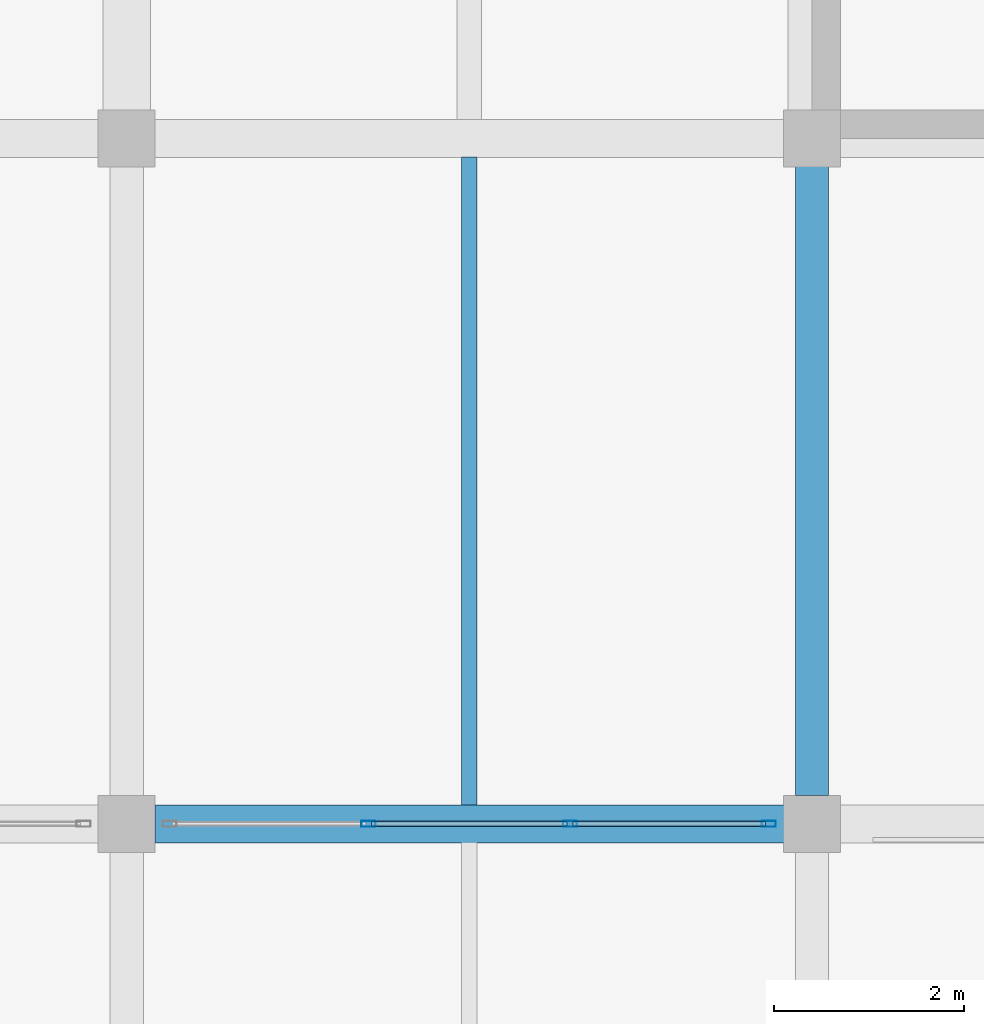
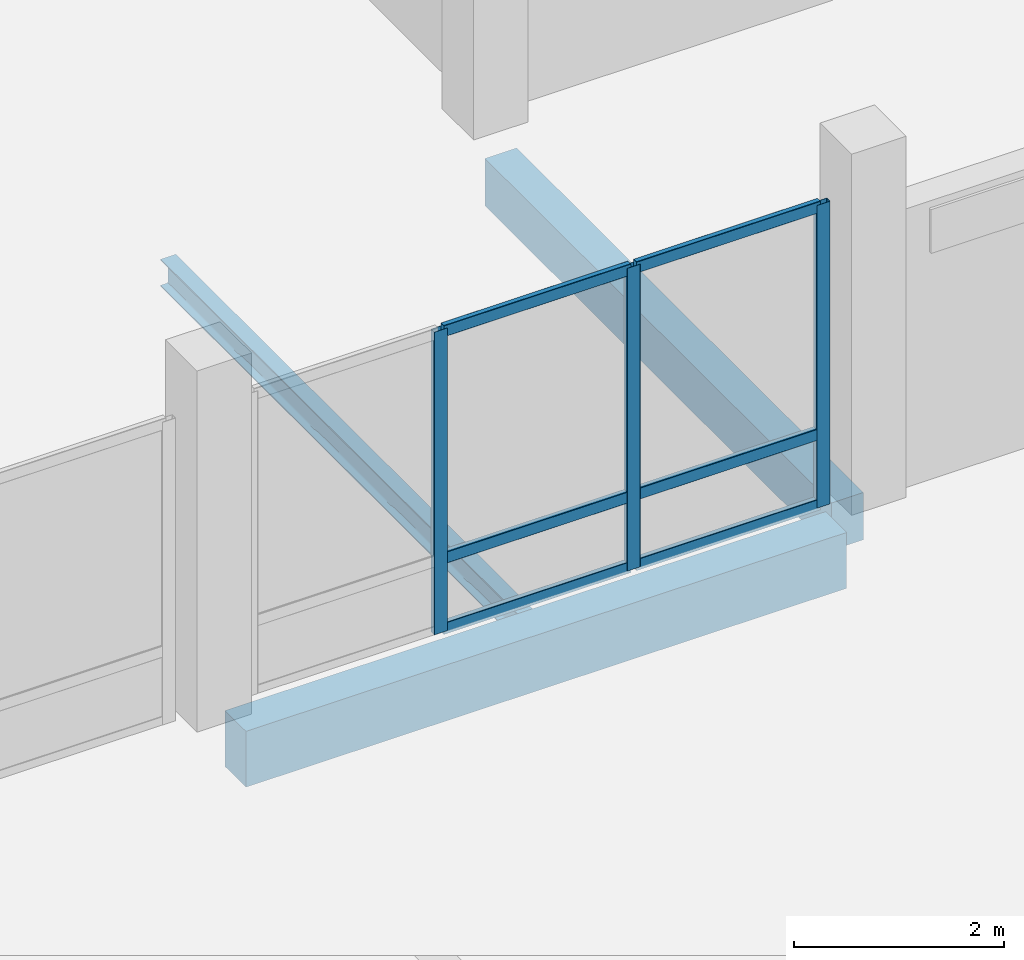
# One storey, part 116 of 158: 9 members, 3 beams, 1 element without a shape of its own.
"""IFC4 building model written with IfcOpenShell, lengths in metres."""

from ifc_helpers import new_model, si_unit, direction, frame, origin, origin_2d, place, context, subcontext, project, spatial, rectangle, hollow_rectangle, i_section, extrude, material, material_profile, profile_set, type_object, element, aggregate, save


model = new_model("IFC4")

# Units and contexts
model_context = context("Model", 3, precision=1e-05, world=origin(), true_north=direction((0.0, 1.0)))
body_context = subcontext(model_context, "Body", "Model", "MODEL_VIEW")
ifc_project = project(units=[si_unit("LENGTHUNIT", "METRE"), si_unit("AREAUNIT", "SQUARE_METRE"), si_unit("VOLUMEUNIT", "CUBIC_METRE"), si_unit("PLANEANGLEUNIT", "RADIAN"), si_unit("MASSUNIT", "GRAM", prefix="KILO")], contexts=[model_context])

# Site, building, storey
site_placement = place(None, origin())
site = spatial("IfcSite", under=ifc_project, at=site_placement, CompositionType="ELEMENT")
building_placement = place(site_placement, origin())
building = spatial("IfcBuilding", under=site, at=building_placement, Name="Lusvemor Sports Hall", CompositionType="ELEMENT")
storey_placement = place(building_placement, frame((0.0, 0.0, 10.800048828125)))
storey = spatial("IfcBuildingStorey", under=building, at=storey_placement, Name="L02", CompositionType="ELEMENT", Elevation=10.800048828125)

# Beams
ifc_material_1 = material(Name="Concrete C40/50", Category="concrete")
ifc_material_profile_1 = material_profile(ifc_material_1, rectangle(XDim=0.35009765625, YDim=0.550048828125, at=origin_2d()), Name="RC350x550")
ifc_profile_set_1 = profile_set([ifc_material_profile_1], Name="Concrete C40/50")
beam_type_1 = type_object("IfcBeamType", Name="BEAM_RC_550", PredefinedType="BEAM", material=ifc_profile_set_1)
beam_1_placement = place(storey_placement, frame((162.0, 97.49609375, -0.53515625), z_axis=(0.0, 1.0, 0.0), x_axis=(-1.0, 0.0, 0.0)))
element("IfcBeam", 1, at=beam_1_placement, inside=storey, type_object=beam_type_1, Name="Beam L02 19:N-P", PredefinedType="BEAM", context=body_context, shape_type="SweptSolid", body=[
    extrude(rectangle(XDim=0.35009765625, YDim=0.550048828125, at=origin_2d()), origin(), (0.0, 0.0, 1.0), 6.60791015625),
])
ifc_material_2 = material(Name="Concrete C40/50", Category="concrete")
ifc_material_profile_2 = material_profile(ifc_material_2, rectangle(XDim=0.39990234375, YDim=0.64990234375, at=origin_2d()), Name="RC400x650")
ifc_profile_set_2 = profile_set([ifc_material_profile_2], Name="Concrete C40/50")
beam_type_2 = type_object("IfcBeamType", Name="BEAM_RC_650", PredefinedType="BEAM", material=ifc_profile_set_2)
beam_2_placement = place(storey_placement, frame((155.095947265625, 97.199951171875, -0.5849609375), z_axis=(1.0, 0.0, 0.0), x_axis=(0.0, 1.0, 0.0)))
element("IfcBeam", 2, at=beam_2_placement, inside=storey, type_object=beam_type_2, Name="Beam L02 N:18-19", PredefinedType="BEAM", context=body_context, shape_type="SweptSolid", body=[
    extrude(rectangle(XDim=0.39990234375, YDim=0.64990234375, at=origin_2d()), origin(), (0.0, 0.0, 1.0), 6.608154296875),
])

# Curtain wall, members
ifc_material_3 = material(Name="Thermally broken bronze-anodized aluminium", Category="aluminium")
curtain_wall_type = type_object("IfcCurtainWallType", Name="CW_WING_B", PredefinedType="NOTDEFINED", material=ifc_material_3)
curtain_wall_placement = place(storey_placement, origin())
curtain_wall = element("IfcCurtainWall", 3, at=curtain_wall_placement, inside=storey, type_object=curtain_wall_type, Name="Curtain Wall CW-L02-S-3-15", PredefinedType="NOTDEFINED")
ifc_material_4 = material(Name="Thermally broken bronze-anodized aluminium", Category="aluminium")
ifc_material_profile_3 = material_profile(ifc_material_4, hollow_rectangle(XDim=0.06494140625, YDim=0.14990234375, WallThickness=0.00390625, InnerFilletRadius=0.00390625, OuterFilletRadius=0.008056640625, at=origin_2d()), Name="CWMUL150x65x4")
ifc_profile_set_3 = profile_set([ifc_material_profile_3], Name="Thermally broken bronze-anodized aluminium")
member_type_1 = type_object("IfcMemberType", Name="CW_MUL_B", PredefinedType="MULLION", material=ifc_profile_set_3)
member_1_placement = place(storey_placement, frame((161.547607421875, 97.199951171875, 0.0), z_axis=(0.0, 0.0, 1.0), x_axis=(0.0, -1.0, 0.0)))
member_1 = element("IfcMember", 4, at=member_1_placement, type_object=member_type_1, Name="CW02 mullion 1", PredefinedType="MULLION", context=body_context, shape_type="SweptSolid", body=[
    extrude(hollow_rectangle(XDim=0.06494140625, YDim=0.14990234375, WallThickness=0.00390625, InnerFilletRadius=0.00390625, OuterFilletRadius=0.008056640625, at=origin_2d()), origin(), (0.0, 0.0, 1.0), 3.52001953125),
])
member_2_placement = place(storey_placement, frame((159.4599609375, 97.199951171875, 0.0), z_axis=(0.0, 0.0, 1.0), x_axis=(0.0, -1.0, 0.0)))
member_2 = element("IfcMember", 5, at=member_2_placement, type_object=member_type_1, Name="CW02 mullion 2", PredefinedType="MULLION", context=body_context, shape_type="SweptSolid", body=[
    extrude(hollow_rectangle(XDim=0.06494140625, YDim=0.14990234375, WallThickness=0.00390625, InnerFilletRadius=0.00390625, OuterFilletRadius=0.008056640625, at=origin_2d()), origin(), (0.0, 0.0, 1.0), 3.52001953125),
])
member_3_placement = place(storey_placement, frame((157.340087890625, 97.199951171875, 0.0), z_axis=(0.0, 0.0, 1.0), x_axis=(0.0, -1.0, 0.0)))
member_3 = element("IfcMember", 6, at=member_3_placement, type_object=member_type_1, Name="CW02 mullion 3", PredefinedType="MULLION", context=body_context, shape_type="SweptSolid", body=[
    extrude(hollow_rectangle(XDim=0.06494140625, YDim=0.14990234375, WallThickness=0.00390625, InnerFilletRadius=0.00390625, OuterFilletRadius=0.008056640625, at=origin_2d()), origin(), (0.0, 0.0, 1.0), 3.52001953125),
])
ifc_material_5 = material(Name="Thermally broken bronze-anodized aluminium", Category="aluminium")
ifc_material_profile_4 = material_profile(ifc_material_5, hollow_rectangle(XDim=0.06005859375, YDim=0.135009765625, WallThickness=0.00390625, InnerFilletRadius=0.00390625, OuterFilletRadius=0.008056640625, at=origin_2d()), Name="CWTRN135x60x4")
ifc_profile_set_4 = profile_set([ifc_material_profile_4], Name="Thermally broken bronze-anodized aluminium")
member_type_2 = type_object("IfcMemberType", Name="CW_TRN_B", PredefinedType="USERDEFINED", material=ifc_profile_set_4)
member_4_placement = place(storey_placement, frame((161.514892578125, 97.199951171875, 0.030029296875), z_axis=(-1.0, 0.0, 0.0), x_axis=(0.0, -1.0, 0.0)))
member_4 = element("IfcMember", 7, at=member_4_placement, type_object=member_type_2, Name="CW02 transom 1.1", ObjectType="TRANSOM", PredefinedType="USERDEFINED", context=body_context, shape_type="SweptSolid", body=[
    extrude(hollow_rectangle(XDim=0.06005859375, YDim=0.135009765625, WallThickness=0.00390625, InnerFilletRadius=0.00390625, OuterFilletRadius=0.008056640625, at=origin_2d()), origin(), (0.0, 0.0, 1.0), 2.0224609375),
])
member_5_placement = place(storey_placement, frame((161.514892578125, 97.199951171875, 0.849853515625), z_axis=(-1.0, 0.0, 0.0), x_axis=(0.0, -1.0, 0.0)))
member_5 = element("IfcMember", 8, at=member_5_placement, type_object=member_type_2, Name="CW02 transom 1.2", ObjectType="TRANSOM", PredefinedType="USERDEFINED", context=body_context, shape_type="SweptSolid", body=[
    extrude(hollow_rectangle(XDim=0.06005859375, YDim=0.135009765625, WallThickness=0.00390625, InnerFilletRadius=0.00390625, OuterFilletRadius=0.008056640625, at=origin_2d()), origin(), (0.0, 0.0, 1.0), 2.0224609375),
])
member_6_placement = place(storey_placement, frame((161.514892578125, 97.199951171875, 3.489990234375), z_axis=(-1.0, 0.0, 0.0), x_axis=(0.0, -1.0, 0.0)))
member_6 = element("IfcMember", 9, at=member_6_placement, type_object=member_type_2, Name="CW02 transom 1.3", ObjectType="TRANSOM", PredefinedType="USERDEFINED", context=body_context, shape_type="SweptSolid", body=[
    extrude(hollow_rectangle(XDim=0.06005859375, YDim=0.135009765625, WallThickness=0.00390625, InnerFilletRadius=0.00390625, OuterFilletRadius=0.008056640625, at=origin_2d()), origin(), (0.0, 0.0, 1.0), 2.0224609375),
])
member_7_placement = place(storey_placement, frame((159.427490234375, 97.199951171875, 0.030029296875), z_axis=(-1.0, 0.0, 0.0), x_axis=(0.0, -1.0, 0.0)))
member_7 = element("IfcMember", 10, at=member_7_placement, type_object=member_type_2, Name="CW02 transom 2.1", ObjectType="TRANSOM", PredefinedType="USERDEFINED", context=body_context, shape_type="SweptSolid", body=[
    extrude(hollow_rectangle(XDim=0.06005859375, YDim=0.135009765625, WallThickness=0.00390625, InnerFilletRadius=0.00390625, OuterFilletRadius=0.008056640625, at=origin_2d()), origin(), (0.0, 0.0, 1.0), 2.054931640625),
])
member_8_placement = place(storey_placement, frame((159.427490234375, 97.199951171875, 0.849853515625), z_axis=(-1.0, 0.0, 0.0), x_axis=(0.0, -1.0, 0.0)))
member_8 = element("IfcMember", 11, at=member_8_placement, type_object=member_type_2, Name="CW02 transom 2.2", ObjectType="TRANSOM", PredefinedType="USERDEFINED", context=body_context, shape_type="SweptSolid", body=[
    extrude(hollow_rectangle(XDim=0.06005859375, YDim=0.135009765625, WallThickness=0.00390625, InnerFilletRadius=0.00390625, OuterFilletRadius=0.008056640625, at=origin_2d()), origin(), (0.0, 0.0, 1.0), 2.054931640625),
])
member_9_placement = place(storey_placement, frame((159.427490234375, 97.199951171875, 3.489990234375), z_axis=(-1.0, 0.0, 0.0), x_axis=(0.0, -1.0, 0.0)))
member_9 = element("IfcMember", 12, at=member_9_placement, type_object=member_type_2, Name="CW02 transom 2.3", ObjectType="TRANSOM", PredefinedType="USERDEFINED", context=body_context, shape_type="SweptSolid", body=[
    extrude(hollow_rectangle(XDim=0.06005859375, YDim=0.135009765625, WallThickness=0.00390625, InnerFilletRadius=0.00390625, OuterFilletRadius=0.008056640625, at=origin_2d()), origin(), (0.0, 0.0, 1.0), 2.054931640625),
])
aggregate(curtain_wall, [member_1, member_2, member_3, member_4, member_5, member_6, member_7, member_8, member_9])

# Beam
ifc_material_6 = material(Name="Steel S355", Category="steel")
ifc_material_profile_5 = material_profile(ifc_material_6, i_section(OverallWidth=0.1669921875, OverallDepth=0.31689453125, WebThickness=0.007568359375, FlangeThickness=0.01318359375, FilletRadius=0.014892578125, at=origin_2d()), Name="W310x52.0")
ifc_profile_set_5 = profile_set([ifc_material_profile_5], Name="Steel S355")
beam_type_3 = type_object("IfcBeamType", Name="JOIST_ST_310M", PredefinedType="JOIST", material=ifc_profile_set_5)
beam_3_placement = place(storey_placement, frame((158.39990234375, 97.39599609375, -0.422607421875), z_axis=(0.0, 1.0, 0.0), x_axis=(-1.0, 0.0, 0.0)))
element("IfcBeam", 13, at=beam_3_placement, inside=storey, type_object=beam_type_3, Name="Secondary Joist L02 18-19/N-P #1", PredefinedType="JOIST", context=body_context, shape_type="SweptSolid", body=[
    extrude(i_section(OverallWidth=0.1669921875, OverallDepth=0.31689453125, WebThickness=0.007568359375, FlangeThickness=0.01318359375, FilletRadius=0.014892578125, at=origin_2d()), origin(), (0.0, 0.0, 1.0), 6.80810546875),
])

save(model, "model.ifc")
